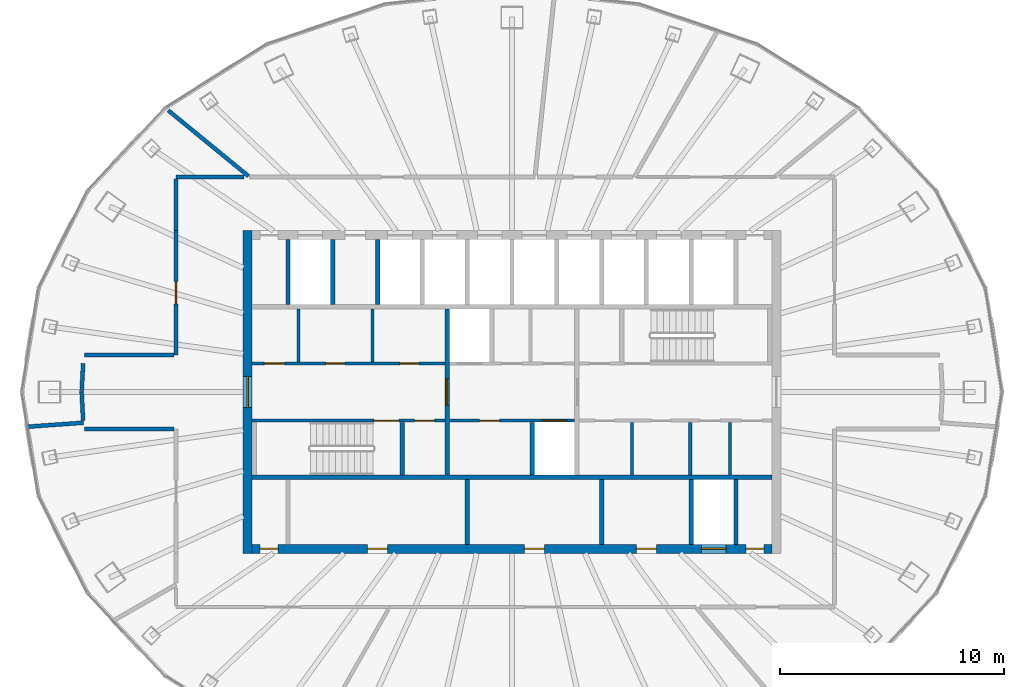
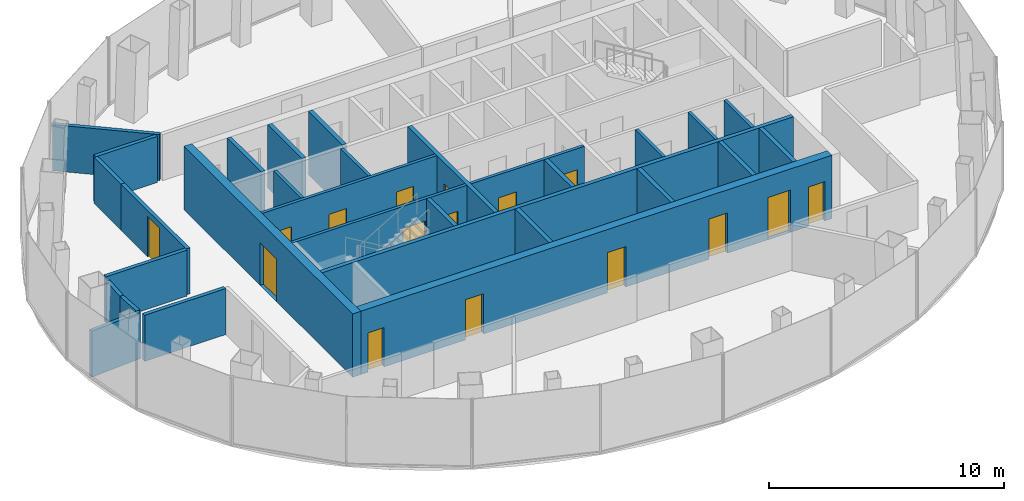
# One storey, part 8 of 11: 30 walls, 16 doors, 16 openings.
"""IFC4 building model written with IfcOpenShell, lengths in metres."""

import ifcopenshell
import ifcopenshell.guid

model = None  # the IFC model being written
_history = None  # IfcOwnerHistory: only IFC2X3 demands one
_inside = {}  # id of a spatial element -> (the spatial element, [elements in it])
_under = {}  # id of a project, library or spatial element -> (it, [spatial elements below it])
_declared = {}  # id of a project -> (the project, [libraries it declares])
_typed = {}  # id of a type object -> (the type object, [elements of that type])
_made_of = {}  # id of a material, layer set ... -> (it, [elements and type objects made of it])


def new_model(schema):
    """Start an empty IFC model of exactly this schema.

    Asked for "IFC4X3", IfcOpenShell would pick the latest addendum, in which some entities
    have other attributes; the version numbers below select the first issue.
    IFC2X3 requires an IfcOwnerHistory on every rooted entity: one is made here for all.
    """
    global model, _history
    if schema == "IFC4X3":
        model = ifcopenshell.file(schema_version=(4, 3, 0, 0))
    else:
        model = ifcopenshell.file(schema=schema)
    _inside.clear()
    _under.clear()
    _declared.clear()
    _typed.clear()
    _made_of.clear()
    _history = None
    if model.schema == "IFC2X3":
        org = make("IfcOrganization", Name="unknown")
        user = make(
            "IfcPersonAndOrganization",
            ThePerson=make("IfcPerson", FamilyName="unknown"),
            TheOrganization=org,
        )
        app = make(
            "IfcApplication",
            ApplicationDeveloper=org,
            Version="unknown",
            ApplicationFullName="unknown",
            ApplicationIdentifier="unknown",
        )
        _history = make(
            "IfcOwnerHistory",
            OwningUser=user,
            OwningApplication=app,
            ChangeAction="ADDED",
            CreationDate=0,
        )
    return model


def make(cls, **values):
    """One entity of the class cls with the attributes given. An attribute that is None is left unset."""
    return model.create_entity(
        cls, **{name: value for name, value in values.items() if value is not None}
    )


def rooted(cls, **values):
    """An entity with a GlobalId (a new one), such as an element, a storey or a relation."""
    return make(cls, GlobalId=ifcopenshell.guid.new(), OwnerHistory=_history, **values)


def si_unit(unit_type, name, prefix=None):
    """IfcSIUnit, for example si_unit("LENGTHUNIT", "METRE", prefix="MILLI")."""
    return make("IfcSIUnit", UnitType=unit_type, Prefix=prefix, Name=name)


def assignment(units):
    """IfcUnitAssignment: the units of a project."""
    return None if units is None else make("IfcUnitAssignment", Units=units)


def point(xyz):
    """IfcCartesianPoint."""
    return None if xyz is None else make("IfcCartesianPoint", Coordinates=xyz)


def direction(xyz):
    """IfcDirection."""
    return None if xyz is None else make("IfcDirection", DirectionRatios=xyz)


def frame(location, z_axis=None, x_axis=None):
    """IfcAxis2Placement3D, a coordinate frame: its origin and axes. An axis left out is left unset."""
    return make(
        "IfcAxis2Placement3D",
        Location=point(location),
        Axis=direction(z_axis),
        RefDirection=direction(x_axis),
    )


def frame_2d(location, x_axis=None):
    """IfcAxis2Placement2D, a coordinate frame in the plane: its origin and x axis."""
    return make(
        "IfcAxis2Placement2D", Location=point(location), RefDirection=direction(x_axis)
    )


def origin():
    """The frame at (0, 0, 0) with its axes left unset."""
    return frame((0.0, 0.0, 0.0))


def place(relative_to, where):
    """IfcLocalPlacement: puts the frame where relative to a parent placement (None: the world)."""
    return make(
        "IfcLocalPlacement", PlacementRelTo=relative_to, RelativePlacement=where
    )


def context(
    kind, dimensions, precision=None, world=None, true_north=None, identifier=None
):
    """IfcGeometricRepresentationContext, for example the 3D "Model" context."""
    return make(
        "IfcGeometricRepresentationContext",
        ContextIdentifier=identifier,
        ContextType=kind,
        CoordinateSpaceDimension=dimensions,
        Precision=precision,
        WorldCoordinateSystem=world,
        TrueNorth=true_north,
    )


def subcontext(parent, identifier, kind, view, scale=None):
    """IfcGeometricRepresentationSubContext, for example "Body" below "Model"."""
    return make(
        "IfcGeometricRepresentationSubContext",
        ContextIdentifier=identifier,
        ContextType=kind,
        ParentContext=parent,
        TargetScale=scale,
        TargetView=view,
    )


def project(units=None, contexts=None):
    """IfcProject with its units and contexts."""
    return rooted(
        "IfcProject",
        Name="project",
        RepresentationContexts=contexts,
        UnitsInContext=assignment(units),
    )


def spatial(cls, under=None, at=None, **own):
    """A site, building, storey or space (cls), placed at a placement, below another one or the project."""
    s = rooted(cls, ObjectPlacement=at, **own)
    if under is not None:
        _under.setdefault(under.id(), (under, []))[1].append(s)
    return s


def profile(cls, at=None, kind="AREA", **sizes):
    """A parametric profile (cls). Its sizes go by their IFC names, for example OverallWidth=200.0."""
    return make(cls, ProfileType=kind, Position=at, **sizes)


def rectangle(**sizes):
    """IfcRectangleProfileDef."""
    return profile("IfcRectangleProfileDef", **sizes)


def extrude(swept, where, along, depth):
    """IfcExtrudedAreaSolid: the profile swept, set in the frame where, extruded along a direction by depth."""
    return make(
        "IfcExtrudedAreaSolid",
        SweptArea=swept,
        Position=where,
        ExtrudedDirection=direction(along),
        Depth=depth,
    )


def shape(context_of_items, identifier, shape_type, items):
    """IfcShapeRepresentation: the items that make up one representation, for example the "Body"."""
    return make(
        "IfcShapeRepresentation",
        ContextOfItems=context_of_items,
        RepresentationIdentifier=identifier,
        RepresentationType=shape_type,
        Items=items,
    )


def material(Name=None, Category=None):
    """IfcMaterial."""
    return make("IfcMaterial", Name=Name, Category=Category)


def layer(
    of_material, thickness, ventilated=None, Name=None, Category=None, Priority=None
):
    """IfcMaterialLayer: one layer of a wall or slab, of a material (None: an air gap)."""
    return make(
        "IfcMaterialLayer",
        Material=of_material,
        LayerThickness=thickness,
        IsVentilated=ventilated,
        Name=Name,
        Category=Category,
        Priority=Priority,
    )


def layer_set(layers, Name=None):
    """IfcMaterialLayerSet."""
    return make("IfcMaterialLayerSet", MaterialLayers=layers, LayerSetName=Name)


def made_of(thing, what):
    """Note that an element or type object is made of a material, layer set ...; save() writes the relation."""
    if what is not None:
        _made_of.setdefault(what.id(), (what, []))[1].append(thing)
    return thing


def type_object(cls, material=None, **own):
    """A type object (cls), such as IfcWallType, which elements share."""
    return made_of(rooted(cls, **own), material)


def element(
    cls,
    number,
    at=None,
    inside=None,
    cuts=None,
    type_object=None,
    material=None,
    context=None,
    identifier="Body",
    shape_type=None,
    held_by="IfcProductDefinitionShape",
    body=None,
    shapes=None,
    **own,
):
    """One element of the class cls, such as IfcWall. Its Tag is "e" and its number.

    at: its placement. inside: the storey or other place that contains it. cuts: it is an
    opening in that element (IfcRelVoidsElement). A single representation is given by context,
    identifier, shape_type and body (its items); several are given by shapes. held_by: the class
    of the entity that holds the representations. save() writes the other relations.
    """
    e = rooted(cls, Tag="e%d" % number, ObjectPlacement=at, **own)
    if body is not None:
        shapes = [shape(context, identifier, shape_type, body)]
    if shapes is not None:
        e.Representation = make(held_by, Representations=shapes)
    if inside is not None:
        _inside.setdefault(inside.id(), (inside, []))[1].append(e)
    if cuts is not None:
        rooted(
            "IfcRelVoidsElement", RelatingBuildingElement=cuts, RelatedOpeningElement=e
        )
    if type_object is not None:
        _typed.setdefault(type_object.id(), (type_object, []))[1].append(e)
    return made_of(e, material)


def fill(opening, filler):
    """IfcRelFillsElement: the door or window that sits in an opening."""
    return rooted(
        "IfcRelFillsElement",
        RelatingOpeningElement=opening,
        RelatedBuildingElement=filler,
    )


def aggregate(whole, parts):
    """IfcRelAggregates: a whole, such as a stair, and the parts it consists of."""
    return rooted("IfcRelAggregates", RelatingObject=whole, RelatedObjects=parts)


def save(model, path):
    """Write the relations noted so far, then the file.

    IfcRelAggregates (storeys below a building ...), IfcRelContainedInSpatialStructure (elements
    in a storey), IfcRelDefinesByType, IfcRelAssociatesMaterial and IfcRelDeclares: one each for
    every whole, place, type object, material and project.
    """
    for whole, parts in _under.values():
        aggregate(whole, parts)
    for where, things in _inside.values():
        rooted(
            "IfcRelContainedInSpatialStructure",
            RelatedElements=things,
            RelatingStructure=where,
        )
    for kind, things in _typed.values():
        rooted("IfcRelDefinesByType", RelatedObjects=things, RelatingType=kind)
    for what, things in _made_of.values():
        rooted("IfcRelAssociatesMaterial", RelatedObjects=things, RelatingMaterial=what)
    for by, libraries in _declared.values():
        rooted("IfcRelDeclares", RelatingContext=by, RelatedDefinitions=libraries)
    model.write(path)


model = new_model("IFC4")

# Units and contexts
model_context = context("Model", 3, precision=1e-05, world=origin(), true_north=direction((0.0, 1.0)))
body_context = subcontext(model_context, "Body", "Model", "MODEL_VIEW")
ifc_project = project(units=[si_unit("LENGTHUNIT", "METRE"), si_unit("AREAUNIT", "SQUARE_METRE"), si_unit("VOLUMEUNIT", "CUBIC_METRE"), si_unit("PLANEANGLEUNIT", "RADIAN"), si_unit("MASSUNIT", "GRAM", prefix="KILO")], contexts=[model_context])

# Site, building, storey
site_placement = place(None, origin())
site = spatial("IfcSite", under=ifc_project, at=site_placement, CompositionType="ELEMENT")
building_placement = place(site_placement, origin())
building = spatial("IfcBuilding", under=site, at=building_placement, Name="Siaravel Broadcast Tower", CompositionType="ELEMENT")
storey_placement = place(building_placement, frame((0.0, 0.0, 224.5)))
storey = spatial("IfcBuildingStorey", under=building, at=storey_placement, Name="L54", CompositionType="ELEMENT", Elevation=224.5)

# Walls
ifc_material_1 = material(Name="Concrete blockwork", Category="masonry")
ifc_layer_1 = layer(ifc_material_1, 0.14990234375)
ifc_layer_set_1 = layer_set([ifc_layer_1], Name="Concrete blockwork")
wall_type_1 = type_object("IfcWallType", Name="Core partition 150", PredefinedType="PARTITIONING", material=ifc_layer_set_1)
for number, where, z_axis, x_axis, name in (
    (1, (-9.532958984375, 1.35009765625, 0.0), (0.0, 0.0, 1.0), (0.0, 1.0, 0.0), "L54 core partition PNW0"),
    (2, (-6.22900390625, 1.35009765625, 0.0), (0.0, 0.0, 1.0), (0.0, 1.0, 0.0), "L54 core partition PNW1"),
    (3, (5.35693359375, -3.699951171875, 0.0), (0.0, 0.0, 1.0), (0.0, 1.0, 0.0), "L54 core partition PSE0"),
    (4, (7.951904296875, -3.699951171875, 0.0), (0.0, 0.0, 1.0), (0.0, 1.0, 0.0), "L54 core partition PSE1"),
    (5, (9.73193359375, -3.699951171875, 0.0), (0.0, 0.0, 1.0), (0.0, 1.0, 0.0), "L54 core partition PSE2"),
):
    element("IfcWall", number, at=place(storey_placement, frame(where, z_axis=z_axis, x_axis=x_axis)), inside=storey, type_object=wall_type_1, Name=name, PredefinedType="PARTITIONING", context=body_context, shape_type="SweptSolid", body=[
        extrude(rectangle(XDim=2.349853515625, YDim=0.14990234375, at=frame_2d((1.1748046875, 0.0))), origin(), (0.0, 0.0, 1.0), 3.300048828125),
    ])
ifc_layer_2 = layer(ifc_material_1, 0.199951171875)
ifc_layer_set_2 = layer_set([ifc_layer_2], Name="Concrete blockwork")
wall_type_2 = type_object("IfcWallType", Name="Core partition 200", PredefinedType="PARTITIONING", material=ifc_layer_set_2)
for number, where, z_axis, x_axis, name in (
    (6, (-2.0, -6.800048828125, 0.0), (0.0, 0.0, 1.0), (0.0, 1.0, 0.0), "L54 core partition PFS0"),
    (7, (4.0, -6.800048828125, 0.0), (0.0, 0.0, 1.0), (0.0, 1.0, 0.0), "L54 core partition PFS4"),
):
    element("IfcWall", number, at=place(storey_placement, frame(where, z_axis=z_axis, x_axis=x_axis)), inside=storey, type_object=wall_type_2, Name=name, PredefinedType="PARTITIONING", context=body_context, shape_type="SweptSolid", body=[
        extrude(rectangle(XDim=2.900146484375, YDim=0.199951171875, at=frame_2d((1.4501953125, 0.0))), origin(), (0.0, 0.0, 1.0), 3.300048828125),
    ])

# Wall, opening, door
ifc_material_2 = material(Name="Concrete C60/75", Category="concrete")
ifc_layer_3 = layer(ifc_material_2, 0.39990234375)
ifc_layer_set_3 = layer_set([ifc_layer_3], Name="Concrete C60/75")
wall_type_3 = type_object("IfcWallType", Name="Core wall 400", PredefinedType="SHEAR", material=ifc_layer_set_3)
wall_1_placement = place(storey_placement, frame((-11.800048828125, -7.199951171875, 0.0), z_axis=(0.0, 0.0, 1.0), x_axis=(0.0, 1.0, 0.0)))
wall_1 = element("IfcWall", 8, at=wall_1_placement, inside=storey, type_object=wall_type_3, Name="L54 core wall OW", PredefinedType="SHEAR", context=body_context, shape_type="SweptSolid", body=[
    extrude(rectangle(XDim=14.39990234375, YDim=0.39990234375, at=frame_2d((7.199951171875, 0.0))), origin(), (0.0, 0.0, 1.0), 3.300048828125),
])
opening_1_placement = place(wall_1_placement, frame((6.5, 0.0, 0.0)))
opening_1 = element("IfcOpeningElement", 9, at=opening_1_placement, cuts=wall_1, Name="Opening L54-DX-W", PredefinedType="OPENING", context=body_context, shape_type="SweptSolid", body=[
    extrude(rectangle(XDim=1.39990234375, YDim=2.199951171875, at=frame_2d((0.699951171875, 1.10009765625))), frame((0.0, 0.2099609375, 0.0), z_axis=(0.0, -1.0, 0.0), x_axis=(1.0, 0.0, 0.0)), (0.0, 0.0, 1.0), 0.419921875),
])
ifc_material_3 = material(Name="Steel", Category="steel")
door_type_1 = type_object("IfcDoorType", Name="Core exit door 1400", OperationType="DOUBLE_DOOR_SINGLE_SWING", PredefinedType="DOOR", material=ifc_material_3)
door_1_placement = place(opening_1_placement, origin())
door_1 = element("IfcDoor", 10, at=door_1_placement, inside=storey, type_object=door_type_1, Name="L54 door DX-W", OperationType="DOUBLE_DOOR_SINGLE_SWING", OverallHeight=2.199951171875, OverallWidth=1.39990234375, PredefinedType="DOOR", context=body_context, shape_type="SweptSolid", body=[
    extrude(rectangle(XDim=1.39990234375, YDim=2.199951171875, at=frame_2d((0.699951171875, 1.10009765625))), frame((0.0, 0.02490234375, 0.0), z_axis=(0.0, -1.0, 0.0), x_axis=(1.0, 0.0, 0.0)), (0.0, 0.0, 1.0), 0.050048828125),
])
fill(opening_1, door_1)

# Wall, openings, doors
wall_2_placement = place(storey_placement, frame((-11.60009765625, -7.0, 0.0), z_axis=(0.0, 0.0, 1.0), x_axis=(1.0, 0.0, 0.0)))
wall_2 = element("IfcWall", 11, at=wall_2_placement, inside=storey, type_object=wall_type_3, Name="L54 core wall OS", PredefinedType="SHEAR", context=body_context, shape_type="SweptSolid", body=[
    extrude(rectangle(XDim=23.2001953125, YDim=0.39990234375, at=frame_2d((11.60009765625, 0.0))), origin(), (0.0, 0.0, 1.0), 3.300048828125),
])
opening_2_placement = place(wall_2_placement, frame((20.050048828125, 0.0, 0.0)))
opening_2 = element("IfcOpeningElement", 12, at=opening_2_placement, cuts=wall_2, Name="Opening LD-SV1-L54", PredefinedType="OPENING", context=body_context, shape_type="SweptSolid", body=[
    extrude(rectangle(XDim=1.10009765625, YDim=2.199951171875, at=frame_2d((0.550048828125, 1.10009765625))), frame((0.0, 0.2099609375, 0.0), z_axis=(0.0, -1.0, 0.0), x_axis=(1.0, 0.0, 0.0)), (0.0, 0.0, 1.0), 0.419921875),
])
opening_3_placement = place(wall_2_placement, frame((5.14990234375, 0.0, 0.0)))
opening_3 = element("IfcOpeningElement", 13, at=opening_3_placement, cuts=wall_2, Name="Opening L54-DFS0", PredefinedType="OPENING", context=body_context, shape_type="SweptSolid", body=[
    extrude(rectangle(XDim=0.89990234375, YDim=2.10009765625, at=frame_2d((0.449951171875, 1.050048828125))), frame((0.0, 0.2099609375, 0.0), z_axis=(0.0, -1.0, 0.0), x_axis=(1.0, 0.0, 0.0)), (0.0, 0.0, 1.0), 0.419921875),
])
opening_4_placement = place(wall_2_placement, frame((12.14990234375, 0.0, 0.0)))
opening_4 = element("IfcOpeningElement", 14, at=opening_4_placement, cuts=wall_2, Name="Opening L54-DFS4", PredefinedType="OPENING", context=body_context, shape_type="SweptSolid", body=[
    extrude(rectangle(XDim=0.89990234375, YDim=2.10009765625, at=frame_2d((0.449951171875, 1.050048828125))), frame((0.0, 0.2099609375, 0.0), z_axis=(0.0, -1.0, 0.0), x_axis=(1.0, 0.0, 0.0)), (0.0, 0.0, 1.0), 0.419921875),
])
opening_5_placement = place(wall_2_placement, frame((17.14990234375, 0.0, 0.0)))
opening_5 = element("IfcOpeningElement", 15, at=opening_5_placement, cuts=wall_2, Name="Opening L54-DFS7", PredefinedType="OPENING", context=body_context, shape_type="SweptSolid", body=[
    extrude(rectangle(XDim=0.89990234375, YDim=2.10009765625, at=frame_2d((0.449951171875, 1.050048828125))), frame((0.0, 0.2099609375, 0.0), z_axis=(0.0, -1.0, 0.0), x_axis=(1.0, 0.0, 0.0)), (0.0, 0.0, 1.0), 0.419921875),
])
opening_6_placement = place(wall_2_placement, frame((0.35009765625, 0.0, 0.0)))
opening_6 = element("IfcOpeningElement", 16, at=opening_6_placement, cuts=wall_2, Name="Opening L54-DRSW", PredefinedType="OPENING", context=body_context, shape_type="SweptSolid", body=[
    extrude(rectangle(XDim=0.800048828125, YDim=2.050048828125, at=frame_2d((0.39990234375, 1.02490234375))), frame((0.0, 0.2099609375, 0.0), z_axis=(0.0, -1.0, 0.0), x_axis=(1.0, 0.0, 0.0)), (0.0, 0.0, 1.0), 0.419921875),
])
opening_7_placement = place(wall_2_placement, frame((22.050048828125, 0.0, 0.0)))
opening_7 = element("IfcOpeningElement", 17, at=opening_7_placement, cuts=wall_2, Name="Opening L54-DRSE", PredefinedType="OPENING", context=body_context, shape_type="SweptSolid", body=[
    extrude(rectangle(XDim=0.800048828125, YDim=2.050048828125, at=frame_2d((0.39990234375, 1.02490234375))), frame((0.0, 0.2099609375, 0.0), z_axis=(0.0, -1.0, 0.0), x_axis=(1.0, 0.0, 0.0)), (0.0, 0.0, 1.0), 0.419921875),
])
ifc_material_4 = material(Name="Timber veneer", Category="wood")
door_type_2 = type_object("IfcDoorType", Name="Core room door 900", OperationType="SINGLE_SWING_LEFT", PredefinedType="DOOR", material=ifc_material_4)
door_2_placement = place(opening_3_placement, origin())
door_2 = element("IfcDoor", 18, at=door_2_placement, inside=storey, type_object=door_type_2, Name="L54 door DFS0", OperationType="SINGLE_SWING_LEFT", OverallHeight=2.10009765625, OverallWidth=0.89990234375, PredefinedType="DOOR", context=body_context, shape_type="SweptSolid", body=[
    extrude(rectangle(XDim=0.89990234375, YDim=2.10009765625, at=frame_2d((0.449951171875, 1.050048828125))), frame((0.0, 0.02490234375, 0.0), z_axis=(0.0, -1.0, 0.0), x_axis=(1.0, 0.0, 0.0)), (0.0, 0.0, 1.0), 0.050048828125),
])
fill(opening_3, door_2)
door_3_placement = place(opening_4_placement, origin())
door_3 = element("IfcDoor", 19, at=door_3_placement, inside=storey, type_object=door_type_2, Name="L54 door DFS4", OperationType="SINGLE_SWING_LEFT", OverallHeight=2.10009765625, OverallWidth=0.89990234375, PredefinedType="DOOR", context=body_context, shape_type="SweptSolid", body=[
    extrude(rectangle(XDim=0.89990234375, YDim=2.10009765625, at=frame_2d((0.449951171875, 1.050048828125))), frame((0.0, 0.02490234375, 0.0), z_axis=(0.0, -1.0, 0.0), x_axis=(1.0, 0.0, 0.0)), (0.0, 0.0, 1.0), 0.050048828125),
])
fill(opening_4, door_3)
door_4_placement = place(opening_5_placement, origin())
door_4 = element("IfcDoor", 20, at=door_4_placement, inside=storey, type_object=door_type_2, Name="L54 door DFS7", OperationType="SINGLE_SWING_LEFT", OverallHeight=2.10009765625, OverallWidth=0.89990234375, PredefinedType="DOOR", context=body_context, shape_type="SweptSolid", body=[
    extrude(rectangle(XDim=0.89990234375, YDim=2.10009765625, at=frame_2d((0.449951171875, 1.050048828125))), frame((0.0, 0.02490234375, 0.0), z_axis=(0.0, -1.0, 0.0), x_axis=(1.0, 0.0, 0.0)), (0.0, 0.0, 1.0), 0.050048828125),
])
fill(opening_5, door_4)
door_type_3 = type_object("IfcDoorType", Name="Riser door 800", OperationType="SINGLE_SWING_LEFT", PredefinedType="DOOR", material=ifc_material_3)
door_5_placement = place(opening_6_placement, origin())
door_5 = element("IfcDoor", 21, at=door_5_placement, inside=storey, type_object=door_type_3, Name="L54 door DRSW", OperationType="SINGLE_SWING_LEFT", OverallHeight=2.050048828125, OverallWidth=0.800048828125, PredefinedType="DOOR", context=body_context, shape_type="SweptSolid", body=[
    extrude(rectangle(XDim=0.800048828125, YDim=2.050048828125, at=frame_2d((0.39990234375, 1.02490234375))), frame((0.0, 0.02490234375, 0.0), z_axis=(0.0, -1.0, 0.0), x_axis=(1.0, 0.0, 0.0)), (0.0, 0.0, 1.0), 0.050048828125),
])
fill(opening_6, door_5)
door_6_placement = place(opening_7_placement, origin())
door_6 = element("IfcDoor", 22, at=door_6_placement, inside=storey, type_object=door_type_3, Name="L54 door DRSE", OperationType="SINGLE_SWING_LEFT", OverallHeight=2.050048828125, OverallWidth=0.800048828125, PredefinedType="DOOR", context=body_context, shape_type="SweptSolid", body=[
    extrude(rectangle(XDim=0.800048828125, YDim=2.050048828125, at=frame_2d((0.39990234375, 1.02490234375))), frame((0.0, 0.02490234375, 0.0), z_axis=(0.0, -1.0, 0.0), x_axis=(1.0, 0.0, 0.0)), (0.0, 0.0, 1.0), 0.050048828125),
])
fill(opening_7, door_6)
ifc_material_5 = material(Name="Stainless steel 316L", Category="steel")
door_type_4 = type_object("IfcDoorType", Name="Service lift landing door 1100", OperationType="DOUBLE_DOOR_SLIDING", PredefinedType="DOOR", material=ifc_material_5)
door_7_placement = place(opening_2_placement, origin())
door_7 = element("IfcDoor", 23, at=door_7_placement, inside=storey, type_object=door_type_4, Name="Landing door SV1 L54", OperationType="DOUBLE_DOOR_SLIDING", OverallHeight=2.199951171875, OverallWidth=1.10009765625, PredefinedType="DOOR", context=body_context, shape_type="SweptSolid", body=[
    extrude(rectangle(XDim=1.10009765625, YDim=2.199951171875, at=frame_2d((0.550048828125, 1.10009765625))), frame((0.0, 0.02490234375, 0.0), z_axis=(0.0, -1.0, 0.0), x_axis=(1.0, 0.0, 0.0)), (0.0, 0.0, 1.0), 0.050048828125),
])
fill(opening_2, door_7)

ifc_material_6 = material(Name="Gypsum board partition", Category="gypsum")
ifc_layer_4 = layer(ifc_material_6, 0.14990234375)
ifc_layer_set_4 = layer_set([ifc_layer_4], Name="Gypsum board partition")
wall_type_4 = type_object("IfcWallType", Name="Corridor wall 150", PredefinedType="PARTITIONING", material=ifc_layer_set_4)
wall_3_placement = place(storey_placement, frame((-11.60009765625, 1.27490234375, 0.0), z_axis=(0.0, 0.0, 1.0), x_axis=(1.0, 0.0, 0.0)))
wall_3 = element("IfcWall", 24, at=wall_3_placement, inside=storey, type_object=wall_type_4, Name="L54 core partition CNW", PredefinedType="PARTITIONING", context=body_context, shape_type="SweptSolid", body=[
    extrude(rectangle(XDim=8.60009765625, YDim=0.14990234375, at=frame_2d((4.300048828125, 0.0))), origin(), (0.0, 0.0, 1.0), 3.300048828125),
])
opening_8_placement = place(wall_3_placement, frame((0.5458984375, 0.0, 0.0)))
opening_8 = element("IfcOpeningElement", 25, at=opening_8_placement, cuts=wall_3, Name="Opening L54-DNW0", PredefinedType="OPENING", context=body_context, shape_type="SweptSolid", body=[
    extrude(rectangle(XDim=0.89990234375, YDim=2.10009765625, at=frame_2d((0.449951171875, 1.050048828125))), frame((0.0, 0.0849609375, 0.0), z_axis=(0.0, -1.0, 0.0), x_axis=(1.0, 0.0, 0.0)), (0.0, 0.0, 1.0), 0.169921875),
])
opening_9_placement = place(wall_3_placement, frame((3.2939453125, 0.0, 0.0)))
opening_9 = element("IfcOpeningElement", 26, at=opening_9_placement, cuts=wall_3, Name="Opening L54-DNW1", PredefinedType="OPENING", context=body_context, shape_type="SweptSolid", body=[
    extrude(rectangle(XDim=0.85009765625, YDim=2.10009765625, at=frame_2d((0.425048828125, 1.050048828125))), frame((0.0, 0.0849609375, 0.0), z_axis=(0.0, -1.0, 0.0), x_axis=(1.0, 0.0, 0.0)), (0.0, 0.0, 1.0), 0.169921875),
])
opening_10_placement = place(wall_3_placement, frame((6.597900390625, 0.0, 0.0)))
opening_10 = element("IfcOpeningElement", 27, at=opening_10_placement, cuts=wall_3, Name="Opening L54-DNW2", PredefinedType="OPENING", context=body_context, shape_type="SweptSolid", body=[
    extrude(rectangle(XDim=0.85009765625, YDim=2.10009765625, at=frame_2d((0.425048828125, 1.050048828125))), frame((0.0, 0.0849609375, 0.0), z_axis=(0.0, -1.0, 0.0), x_axis=(1.0, 0.0, 0.0)), (0.0, 0.0, 1.0), 0.169921875),
])
door_8_placement = place(opening_8_placement, origin())
door_8 = element("IfcDoor", 28, at=door_8_placement, inside=storey, type_object=door_type_2, Name="L54 door DNW0", OperationType="SINGLE_SWING_LEFT", OverallHeight=2.10009765625, OverallWidth=0.89990234375, PredefinedType="DOOR", context=body_context, shape_type="SweptSolid", body=[
    extrude(rectangle(XDim=0.89990234375, YDim=2.10009765625, at=frame_2d((0.449951171875, 1.050048828125))), frame((0.0, 0.02490234375, 0.0), z_axis=(0.0, -1.0, 0.0), x_axis=(1.0, 0.0, 0.0)), (0.0, 0.0, 1.0), 0.050048828125),
])
fill(opening_8, door_8)
door_type_5 = type_object("IfcDoorType", Name="Core toilet door 850", OperationType="SINGLE_SWING_LEFT", PredefinedType="DOOR", material=ifc_material_4)
door_9_placement = place(opening_9_placement, origin())
door_9 = element("IfcDoor", 29, at=door_9_placement, inside=storey, type_object=door_type_5, Name="L54 door DNW1", OperationType="SINGLE_SWING_LEFT", OverallHeight=2.10009765625, OverallWidth=0.85009765625, PredefinedType="DOOR", context=body_context, shape_type="SweptSolid", body=[
    extrude(rectangle(XDim=0.85009765625, YDim=2.10009765625, at=frame_2d((0.425048828125, 1.050048828125))), frame((0.0, 0.02490234375, 0.0), z_axis=(0.0, -1.0, 0.0), x_axis=(1.0, 0.0, 0.0)), (0.0, 0.0, 1.0), 0.050048828125),
])
fill(opening_9, door_9)
door_10_placement = place(opening_10_placement, origin())
door_10 = element("IfcDoor", 30, at=door_10_placement, inside=storey, type_object=door_type_5, Name="L54 door DNW2", OperationType="SINGLE_SWING_LEFT", OverallHeight=2.10009765625, OverallWidth=0.85009765625, PredefinedType="DOOR", context=body_context, shape_type="SweptSolid", body=[
    extrude(rectangle(XDim=0.85009765625, YDim=2.10009765625, at=frame_2d((0.425048828125, 1.050048828125))), frame((0.0, 0.02490234375, 0.0), z_axis=(0.0, -1.0, 0.0), x_axis=(1.0, 0.0, 0.0)), (0.0, 0.0, 1.0), 0.050048828125),
])
fill(opening_10, door_10)

# Wall, opening, door
ifc_layer_5 = layer(ifc_material_1, 0.179931640625)
ifc_layer_set_5 = layer_set([ifc_layer_5], Name="Concrete blockwork")
wall_type_5 = type_object("IfcWallType", Name="Service room fire partition 180", PredefinedType="PARTITIONING", material=ifc_layer_set_5)
wall_4_placement = place(storey_placement, frame((-15.0, 7.2119140625, 0.0), z_axis=(0.0, 0.0, 1.0), x_axis=(0.0, -1.0, 0.0)))
wall_4 = element("IfcWall", 31, at=wall_4_placement, inside=storey, type_object=wall_type_5, Name="L54 partition 11", PredefinedType="PARTITIONING", context=body_context, shape_type="SweptSolid", body=[
    extrude(rectangle(XDim=5.56201171875, YDim=0.179931640625, at=frame_2d((2.781005859375, 0.0))), origin(), (0.0, 0.0, 1.0), 2.39990234375),
])
opening_11_placement = place(wall_4_placement, frame((2.281005859375, 0.0, 0.0)))
opening_11 = element("IfcOpeningElement", 32, at=opening_11_placement, cuts=wall_4, Name="Opening L54-007", PredefinedType="OPENING", context=body_context, shape_type="SweptSolid", body=[
    extrude(rectangle(XDim=1.0, YDim=2.10009765625, at=frame_2d((0.5, 1.050048828125))), frame((0.0, 0.099853515625, 0.0), z_axis=(0.0, -1.0, 0.0), x_axis=(1.0, 0.0, 0.0)), (0.0, 0.0, 1.0), 0.199951171875),
])
door_type_6 = type_object("IfcDoorType", Name="Service room door 1000", OperationType="SINGLE_SWING_LEFT", PredefinedType="DOOR", material=ifc_material_3)
door_11_placement = place(opening_11_placement, origin())
door_11 = element("IfcDoor", 33, at=door_11_placement, inside=storey, type_object=door_type_6, Name="L54 door to Library", OperationType="SINGLE_SWING_LEFT", OverallHeight=2.10009765625, OverallWidth=1.0, PredefinedType="DOOR", context=body_context, shape_type="SweptSolid", body=[
    extrude(rectangle(XDim=1.0, YDim=2.10009765625, at=frame_2d((0.5, 1.050048828125))), frame((0.0, 0.02490234375, 0.0), z_axis=(0.0, -1.0, 0.0), x_axis=(1.0, 0.0, 0.0)), (0.0, 0.0, 1.0), 0.050048828125),
])
fill(opening_11, door_11)

# Walls
wall_5_placement = place(storey_placement, frame((-15.3466796875, 12.570556640625, 0.0), z_axis=(0.0, 0.0, 1.0), x_axis=(0.773623506, -0.633645541, 0.0)))
element("IfcWall", 34, at=wall_5_placement, inside=storey, type_object=wall_type_5, Name="L54 partition 14", PredefinedType="PARTITIONING", context=body_context, shape_type="SweptSolid", body=[
    extrude(rectangle(XDim=4.62890625, YDim=0.179931640625, at=frame_2d((2.314453125, 0.0))), origin(), (0.0, 0.0, 1.0), 2.39990234375),
])
for number, where, z_axis, x_axis, name in (
    (35, (-15.092041015625, 1.64990234375, 0.0), (0.0, 0.0, 1.0), (-1.0, 0.0, 0.0), "L54 partition 19"),
    (36, (-19.0849609375, -1.64990234375, 0.0), (0.0, 0.0, 1.0), (1.0, 0.0, 0.0), "L54 partition 20"),
):
    element("IfcWall", number, at=place(storey_placement, frame(where, z_axis=z_axis, x_axis=x_axis)), inside=storey, type_object=wall_type_5, Name=name, PredefinedType="PARTITIONING", context=body_context, shape_type="SweptSolid", body=[
        extrude(rectangle(XDim=3.992919921875, YDim=0.179931640625, at=frame_2d((1.99658203125, 0.0))), origin(), (0.0, 0.0, 1.0), 2.39990234375),
    ])
wall_6_placement = place(storey_placement, frame((-11.973876953125, 9.60009765625, 0.0), z_axis=(0.0, 0.0, 1.0), x_axis=(-1.0, 0.0, 0.0)))
element("IfcWall", 37, at=wall_6_placement, inside=storey, type_object=wall_type_5, Name="L54 partition 21", PredefinedType="PARTITIONING", context=body_context, shape_type="SweptSolid", body=[
    extrude(rectangle(XDim=3.026123046875, YDim=0.179931640625, at=frame_2d((1.51318359375, 0.0))), origin(), (0.0, 0.0, 1.0), 2.39990234375),
])
wall_7_placement = place(storey_placement, frame((-21.633056640625, -1.55029296875, 0.0), z_axis=(0.0, 0.0, 1.0), x_axis=(0.997440396, 0.071502847, 0.0)))
element("IfcWall", 38, at=wall_7_placement, inside=storey, type_object=wall_type_5, Name="L54 partition 24", PredefinedType="PARTITIONING", context=body_context, shape_type="SweptSolid", body=[
    extrude(rectangle(XDim=2.509521484375, YDim=0.179931640625, at=frame_2d((1.2548828125, 0.0))), origin(), (0.0, 0.0, 1.0), 2.39990234375),
])
wall_8_placement = place(storey_placement, frame((-15.0, 9.508056640625, 0.0), z_axis=(0.0, 0.0, 1.0), x_axis=(0.0, -1.0, 0.0)))
element("IfcWall", 39, at=wall_8_placement, inside=storey, type_object=wall_type_5, Name="L54 partition 26", PredefinedType="PARTITIONING", context=body_context, shape_type="SweptSolid", body=[
    extrude(rectangle(XDim=2.295166015625, YDim=0.179931640625, at=frame_2d((1.1474609375, 0.0))), origin(), (0.0, 0.0, 1.0), 2.39990234375),
])
wall_9_placement = place(storey_placement, frame((-19.212646484375, 0.0, 0.0), z_axis=(0.0, 0.0, 1.0), x_axis=(0.053158846, -0.998586069, 0.0)))
element("IfcWall", 40, at=wall_9_placement, inside=storey, type_object=wall_type_5, Name="L54 partition 30", PredefinedType="PARTITIONING", context=body_context, shape_type="SweptSolid", body=[
    extrude(rectangle(XDim=1.28125, YDim=0.179931640625, at=frame_2d((0.640625, 0.0))), origin(), (0.0, 0.0, 1.0), 2.39990234375),
])
wall_10_placement = place(storey_placement, frame((-19.144287109375, 1.280517578125, 0.0), z_axis=(0.0, 0.0, 1.0), x_axis=(-0.053214222, -0.99858312, 0.0)))
element("IfcWall", 41, at=wall_10_placement, inside=storey, type_object=wall_type_5, Name="L54 partition 32", PredefinedType="PARTITIONING", context=body_context, shape_type="SweptSolid", body=[
    extrude(rectangle(XDim=1.270751953125, YDim=0.179931640625, at=frame_2d((0.63525390625, 0.0))), origin(), (0.0, 0.0, 1.0), 2.39990234375),
])

# Wall, openings, doors
ifc_layer_6 = layer(ifc_material_2, 0.14990234375)
ifc_layer_set_6 = layer_set([ifc_layer_6], Name="Concrete C60/75")
wall_type_6 = type_object("IfcWallType", Name="Shaft wall 150", PredefinedType="SHEAR", material=ifc_layer_set_6)
wall_11_placement = place(storey_placement, frame((-11.60009765625, -1.27490234375, 0.0), z_axis=(0.0, 0.0, 1.0), x_axis=(1.0, 0.0, 0.0)))
wall_11 = element("IfcWall", 42, at=wall_11_placement, inside=storey, type_object=wall_type_6, Name="L54 core wall CSW", PredefinedType="SHEAR", context=body_context, shape_type="SweptSolid", body=[
    extrude(rectangle(XDim=8.60009765625, YDim=0.14990234375, at=frame_2d((4.300048828125, 0.0))), origin(), (0.0, 0.0, 1.0), 3.300048828125),
])
opening_12_placement = place(wall_11_placement, frame((5.449951171875, 0.0, 0.0)))
opening_12 = element("IfcOpeningElement", 43, at=opening_12_placement, cuts=wall_11, Name="Opening L54-DS-1", PredefinedType="OPENING", context=body_context, shape_type="SweptSolid", body=[
    extrude(rectangle(XDim=1.10009765625, YDim=2.14990234375, at=frame_2d((0.550048828125, 1.074951171875))), frame((0.0, 0.0849609375, 0.0), z_axis=(0.0, -1.0, 0.0), x_axis=(1.0, 0.0, 0.0)), (0.0, 0.0, 1.0), 0.169921875),
])
opening_13_placement = place(wall_11_placement, frame((7.25, 0.0, 0.0)))
opening_13 = element("IfcOpeningElement", 44, at=opening_13_placement, cuts=wall_11, Name="Opening L54-DSW0", PredefinedType="OPENING", context=body_context, shape_type="SweptSolid", body=[
    extrude(rectangle(XDim=0.89990234375, YDim=2.10009765625, at=frame_2d((0.449951171875, 1.050048828125))), frame((0.0, 0.0849609375, 0.0), z_axis=(0.0, -1.0, 0.0), x_axis=(1.0, 0.0, 0.0)), (0.0, 0.0, 1.0), 0.169921875),
])
door_12_placement = place(opening_13_placement, origin())
door_12 = element("IfcDoor", 45, at=door_12_placement, inside=storey, type_object=door_type_2, Name="L54 door DSW0", OperationType="SINGLE_SWING_LEFT", OverallHeight=2.10009765625, OverallWidth=0.89990234375, PredefinedType="DOOR", context=body_context, shape_type="SweptSolid", body=[
    extrude(rectangle(XDim=0.89990234375, YDim=2.10009765625, at=frame_2d((0.449951171875, 1.050048828125))), frame((0.0, 0.02490234375, 0.0), z_axis=(0.0, -1.0, 0.0), x_axis=(1.0, 0.0, 0.0)), (0.0, 0.0, 1.0), 0.050048828125),
])
fill(opening_13, door_12)
door_type_7 = type_object("IfcDoorType", Name="Stair door 1100", OperationType="SINGLE_SWING_LEFT", PredefinedType="DOOR", material=ifc_material_3)
door_13_placement = place(opening_12_placement, origin())
door_13 = element("IfcDoor", 46, at=door_13_placement, inside=storey, type_object=door_type_7, Name="L54 door DS-1", OperationType="SINGLE_SWING_LEFT", OverallHeight=2.14990234375, OverallWidth=1.10009765625, PredefinedType="DOOR", context=body_context, shape_type="SweptSolid", body=[
    extrude(rectangle(XDim=1.10009765625, YDim=2.14990234375, at=frame_2d((0.550048828125, 1.074951171875))), frame((0.0, 0.02490234375, 0.0), z_axis=(0.0, -1.0, 0.0), x_axis=(1.0, 0.0, 0.0)), (0.0, 0.0, 1.0), 0.050048828125),
])
fill(opening_12, door_13)

wall_12_placement = place(storey_placement, frame((-2.800048828125, -1.27490234375, 0.0), z_axis=(0.0, 0.0, 1.0), x_axis=(1.0, 0.0, 0.0)))
wall_12 = element("IfcWall", 47, at=wall_12_placement, inside=storey, type_object=wall_type_6, Name="L54 core wall CSM", PredefinedType="SHEAR", context=body_context, shape_type="SweptSolid", body=[
    extrude(rectangle(XDim=5.60009765625, YDim=0.14990234375, at=frame_2d((2.800048828125, 0.0))), origin(), (0.0, 0.0, 1.0), 3.300048828125),
])
opening_14_placement = place(wall_12_placement, frame((4.14990234375, 0.0, 0.0)))
opening_14 = element("IfcOpeningElement", 48, at=opening_14_placement, cuts=wall_12, Name="Opening LD-FL2-L54", PredefinedType="OPENING", context=body_context, shape_type="SweptSolid", body=[
    extrude(rectangle(XDim=1.10009765625, YDim=2.199951171875, at=frame_2d((0.550048828125, 1.10009765625))), frame((0.0, 0.0849609375, 0.0), z_axis=(0.0, -1.0, 0.0), x_axis=(1.0, 0.0, 0.0)), (0.0, 0.0, 1.0), 0.169921875),
])
opening_15_placement = place(wall_12_placement, frame((1.35009765625, 0.0, 0.0)))
opening_15 = element("IfcOpeningElement", 49, at=opening_15_placement, cuts=wall_12, Name="Opening L54-DSM0", PredefinedType="OPENING", context=body_context, shape_type="SweptSolid", body=[
    extrude(rectangle(XDim=0.89990234375, YDim=2.10009765625, at=frame_2d((0.449951171875, 1.050048828125))), frame((0.0, 0.0849609375, 0.0), z_axis=(0.0, -1.0, 0.0), x_axis=(1.0, 0.0, 0.0)), (0.0, 0.0, 1.0), 0.169921875),
])
door_14_placement = place(opening_15_placement, origin())
door_14 = element("IfcDoor", 50, at=door_14_placement, inside=storey, type_object=door_type_2, Name="L54 door DSM0", OperationType="SINGLE_SWING_LEFT", OverallHeight=2.10009765625, OverallWidth=0.89990234375, PredefinedType="DOOR", context=body_context, shape_type="SweptSolid", body=[
    extrude(rectangle(XDim=0.89990234375, YDim=2.10009765625, at=frame_2d((0.449951171875, 1.050048828125))), frame((0.0, 0.02490234375, 0.0), z_axis=(0.0, -1.0, 0.0), x_axis=(1.0, 0.0, 0.0)), (0.0, 0.0, 1.0), 0.050048828125),
])
fill(opening_15, door_14)
door_type_8 = type_object("IfcDoorType", Name="Firefighting lift landing door 1100", OperationType="DOUBLE_DOOR_SLIDING", PredefinedType="DOOR", material=ifc_material_5)
door_15_placement = place(opening_14_placement, origin())
door_15 = element("IfcDoor", 51, at=door_15_placement, inside=storey, type_object=door_type_8, Name="Landing door FL2 L54", OperationType="DOUBLE_DOOR_SLIDING", OverallHeight=2.199951171875, OverallWidth=1.10009765625, PredefinedType="DOOR", context=body_context, shape_type="SweptSolid", body=[
    extrude(rectangle(XDim=1.10009765625, YDim=2.199951171875, at=frame_2d((0.550048828125, 1.10009765625))), frame((0.0, 0.02490234375, 0.0), z_axis=(0.0, -1.0, 0.0), x_axis=(1.0, 0.0, 0.0)), (0.0, 0.0, 1.0), 0.050048828125),
])
fill(opening_14, door_15)

# Walls
ifc_layer_7 = layer(ifc_material_2, 0.199951171875)
ifc_layer_set_7 = layer_set([ifc_layer_7], Name="Concrete C60/75")
wall_type_7 = type_object("IfcWallType", Name="Shaft wall 200", PredefinedType="SHEAR", material=ifc_layer_set_7)
wall_13_placement = place(storey_placement, frame((-11.60009765625, -3.800048828125, 0.0), z_axis=(0.0, 0.0, 1.0), x_axis=(1.0, 0.0, 0.0)))
element("IfcWall", 52, at=wall_13_placement, inside=storey, type_object=wall_type_7, Name="L54 core wall BS", PredefinedType="SHEAR", context=body_context, shape_type="SweptSolid", body=[
    extrude(rectangle(XDim=23.2001953125, YDim=0.199951171875, at=frame_2d((11.60009765625, 0.0))), origin(), (0.0, 0.0, 1.0), 3.300048828125),
])
for number, where, z_axis, x_axis, name in (
    (53, (8.0, -6.800048828125, 0.0), (0.0, 0.0, 1.0), (0.0, 1.0, 0.0), "L54 core wall SWS9"),
    (54, (10.0, -6.800048828125, 0.0), (0.0, 0.0, 1.0), (0.0, 1.0, 0.0), "L54 core wall SWS10"),
    (55, (-10.0, 3.89990234375, 0.0), (0.0, 0.0, 1.0), (0.0, 1.0, 0.0), "L54 core wall SWN0"),
    (56, (-8.0, 3.89990234375, 0.0), (0.0, 0.0, 1.0), (0.0, 1.0, 0.0), "L54 core wall SWN1"),
    (57, (-6.0, 3.89990234375, 0.0), (0.0, 0.0, 1.0), (0.0, 1.0, 0.0), "L54 core wall SWN2"),
):
    element("IfcWall", number, at=place(storey_placement, frame(where, z_axis=z_axis, x_axis=x_axis)), inside=storey, type_object=wall_type_7, Name=name, PredefinedType="SHEAR", context=body_context, shape_type="SweptSolid", body=[
        extrude(rectangle(XDim=2.900146484375, YDim=0.199951171875, at=frame_2d((1.4501953125, 0.0))), origin(), (0.0, 0.0, 1.0), 3.300048828125),
    ])

# Wall, opening, door
wall_14_placement = place(storey_placement, frame((-2.89990234375, -3.699951171875, 0.0), z_axis=(0.0, 0.0, 1.0), x_axis=(0.0, 1.0, 0.0)))
wall_14 = element("IfcWall", 58, at=wall_14_placement, inside=storey, type_object=wall_type_7, Name="L54 core wall LW", PredefinedType="SHEAR", context=body_context, shape_type="SweptSolid", body=[
    extrude(rectangle(XDim=7.39990234375, YDim=0.199951171875, at=frame_2d((3.699951171875, 0.0))), origin(), (0.0, 0.0, 1.0), 3.300048828125),
])
opening_16_placement = place(wall_14_placement, frame((3.10009765625, 0.0, 0.0)))
opening_16 = element("IfcOpeningElement", 59, at=opening_16_placement, cuts=wall_14, Name="Opening L54-DL-W", PredefinedType="OPENING", context=body_context, shape_type="SweptSolid", body=[
    extrude(rectangle(XDim=1.199951171875, YDim=2.199951171875, at=frame_2d((0.60009765625, 1.10009765625))), frame((0.0, 0.10986328125, 0.0), z_axis=(0.0, -1.0, 0.0), x_axis=(1.0, 0.0, 0.0)), (0.0, 0.0, 1.0), 0.219970703125),
])
door_type_9 = type_object("IfcDoorType", Name="Firefighting lobby door 1200", OperationType="SINGLE_SWING_LEFT", PredefinedType="DOOR", material=ifc_material_3)
door_16_placement = place(opening_16_placement, origin())
door_16 = element("IfcDoor", 60, at=door_16_placement, inside=storey, type_object=door_type_9, Name="L54 door DL-W", OperationType="SINGLE_SWING_LEFT", OverallHeight=2.199951171875, OverallWidth=1.199951171875, PredefinedType="DOOR", context=body_context, shape_type="SweptSolid", body=[
    extrude(rectangle(XDim=1.199951171875, YDim=2.199951171875, at=frame_2d((0.60009765625, 1.10009765625))), frame((0.0, 0.02490234375, 0.0), z_axis=(0.0, -1.0, 0.0), x_axis=(1.0, 0.0, 0.0)), (0.0, 0.0, 1.0), 0.050048828125),
])
fill(opening_16, door_16)

# Walls
for number, where, z_axis, x_axis, name in (
    (61, (0.89990234375, -3.699951171875, 0.0), (0.0, 0.0, 1.0), (0.0, 1.0, 0.0), "L54 core wall FF2W"),
    (62, (-4.89990234375, -3.699951171875, 0.0), (0.0, 0.0, 1.0), (0.0, 1.0, 0.0), "L54 core wall ST1E"),
):
    element("IfcWall", number, at=place(storey_placement, frame(where, z_axis=z_axis, x_axis=x_axis)), inside=storey, type_object=wall_type_7, Name=name, PredefinedType="SHEAR", context=body_context, shape_type="SweptSolid", body=[
        extrude(rectangle(XDim=2.349853515625, YDim=0.199951171875, at=frame_2d((1.1748046875, 0.0))), origin(), (0.0, 0.0, 1.0), 3.300048828125),
    ])

save(model, "model.ifc")
